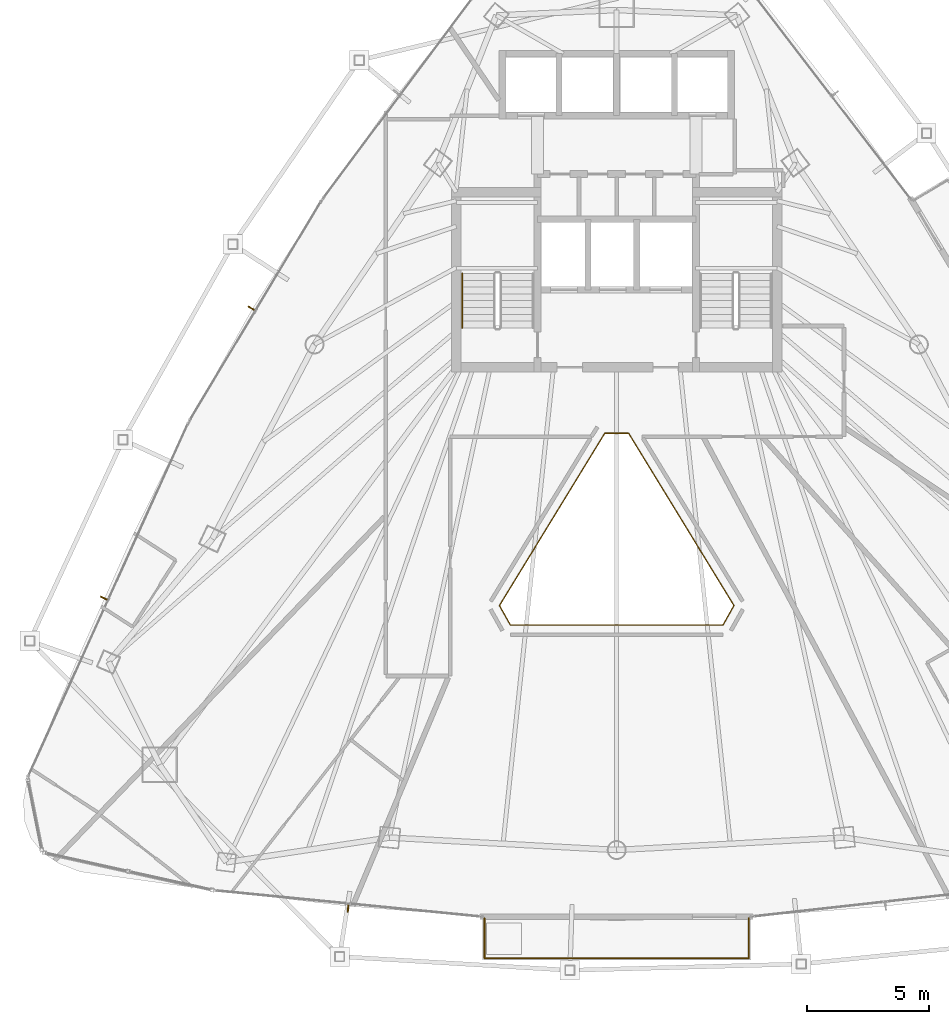
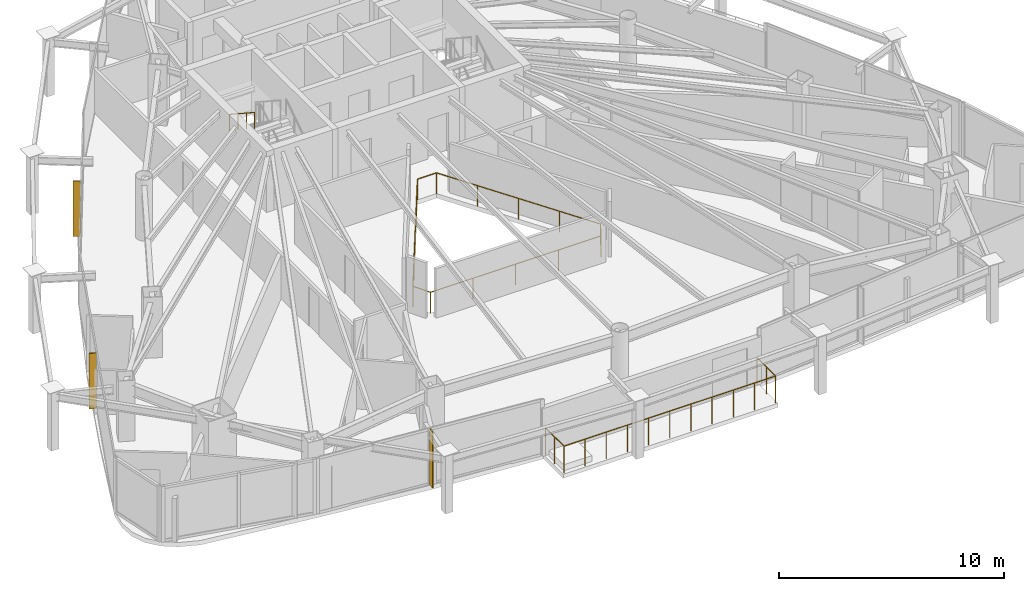
# One storey, part 29 of 31: 3 railings, 3 shading devices.
"""IFC4 building model written with IfcOpenShell, lengths in metres."""

import ifcopenshell
import ifcopenshell.guid

model = None  # the IFC model being written
_history = None  # IfcOwnerHistory: only IFC2X3 demands one
_inside = {}  # id of a spatial element -> (the spatial element, [elements in it])
_under = {}  # id of a project, library or spatial element -> (it, [spatial elements below it])
_declared = {}  # id of a project -> (the project, [libraries it declares])
_typed = {}  # id of a type object -> (the type object, [elements of that type])
_made_of = {}  # id of a material, layer set ... -> (it, [elements and type objects made of it])


def new_model(schema):
    """Start an empty IFC model of exactly this schema.

    Asked for "IFC4X3", IfcOpenShell would pick the latest addendum, in which some entities
    have other attributes; the version numbers below select the first issue.
    IFC2X3 requires an IfcOwnerHistory on every rooted entity: one is made here for all.
    """
    global model, _history
    if schema == "IFC4X3":
        model = ifcopenshell.file(schema_version=(4, 3, 0, 0))
    else:
        model = ifcopenshell.file(schema=schema)
    _inside.clear()
    _under.clear()
    _declared.clear()
    _typed.clear()
    _made_of.clear()
    _history = None
    if model.schema == "IFC2X3":
        org = make("IfcOrganization", Name="unknown")
        user = make(
            "IfcPersonAndOrganization",
            ThePerson=make("IfcPerson", FamilyName="unknown"),
            TheOrganization=org,
        )
        app = make(
            "IfcApplication",
            ApplicationDeveloper=org,
            Version="unknown",
            ApplicationFullName="unknown",
            ApplicationIdentifier="unknown",
        )
        _history = make(
            "IfcOwnerHistory",
            OwningUser=user,
            OwningApplication=app,
            ChangeAction="ADDED",
            CreationDate=0,
        )
    return model


def make(cls, **values):
    """One entity of the class cls with the attributes given. An attribute that is None is left unset."""
    return model.create_entity(
        cls, **{name: value for name, value in values.items() if value is not None}
    )


def rooted(cls, **values):
    """An entity with a GlobalId (a new one), such as an element, a storey or a relation."""
    return make(cls, GlobalId=ifcopenshell.guid.new(), OwnerHistory=_history, **values)


def si_unit(unit_type, name, prefix=None):
    """IfcSIUnit, for example si_unit("LENGTHUNIT", "METRE", prefix="MILLI")."""
    return make("IfcSIUnit", UnitType=unit_type, Prefix=prefix, Name=name)


def assignment(units):
    """IfcUnitAssignment: the units of a project."""
    return None if units is None else make("IfcUnitAssignment", Units=units)


def point(xyz):
    """IfcCartesianPoint."""
    return None if xyz is None else make("IfcCartesianPoint", Coordinates=xyz)


def direction(xyz):
    """IfcDirection."""
    return None if xyz is None else make("IfcDirection", DirectionRatios=xyz)


def frame(location, z_axis=None, x_axis=None):
    """IfcAxis2Placement3D, a coordinate frame: its origin and axes. An axis left out is left unset."""
    return make(
        "IfcAxis2Placement3D",
        Location=point(location),
        Axis=direction(z_axis),
        RefDirection=direction(x_axis),
    )


def frame_2d(location, x_axis=None):
    """IfcAxis2Placement2D, a coordinate frame in the plane: its origin and x axis."""
    return make(
        "IfcAxis2Placement2D", Location=point(location), RefDirection=direction(x_axis)
    )


def origin():
    """The frame at (0, 0, 0) with its axes left unset."""
    return frame((0.0, 0.0, 0.0))


def origin_2d():
    """The frame at (0, 0) in the plane with its x axis left unset."""
    return frame_2d((0.0, 0.0))


def place(relative_to, where):
    """IfcLocalPlacement: puts the frame where relative to a parent placement (None: the world)."""
    return make(
        "IfcLocalPlacement", PlacementRelTo=relative_to, RelativePlacement=where
    )


def context(
    kind, dimensions, precision=None, world=None, true_north=None, identifier=None
):
    """IfcGeometricRepresentationContext, for example the 3D "Model" context."""
    return make(
        "IfcGeometricRepresentationContext",
        ContextIdentifier=identifier,
        ContextType=kind,
        CoordinateSpaceDimension=dimensions,
        Precision=precision,
        WorldCoordinateSystem=world,
        TrueNorth=true_north,
    )


def subcontext(parent, identifier, kind, view, scale=None):
    """IfcGeometricRepresentationSubContext, for example "Body" below "Model"."""
    return make(
        "IfcGeometricRepresentationSubContext",
        ContextIdentifier=identifier,
        ContextType=kind,
        ParentContext=parent,
        TargetScale=scale,
        TargetView=view,
    )


def project(units=None, contexts=None):
    """IfcProject with its units and contexts."""
    return rooted(
        "IfcProject",
        Name="project",
        RepresentationContexts=contexts,
        UnitsInContext=assignment(units),
    )


def spatial(cls, under=None, at=None, **own):
    """A site, building, storey or space (cls), placed at a placement, below another one or the project."""
    s = rooted(cls, ObjectPlacement=at, **own)
    if under is not None:
        _under.setdefault(under.id(), (under, []))[1].append(s)
    return s


def profile(cls, at=None, kind="AREA", **sizes):
    """A parametric profile (cls). Its sizes go by their IFC names, for example OverallWidth=200.0."""
    return make(cls, ProfileType=kind, Position=at, **sizes)


def rectangle(**sizes):
    """IfcRectangleProfileDef."""
    return profile("IfcRectangleProfileDef", **sizes)


def circle(**sizes):
    """IfcCircleProfileDef."""
    return profile("IfcCircleProfileDef", **sizes)


def extrude(swept, where, along, depth):
    """IfcExtrudedAreaSolid: the profile swept, set in the frame where, extruded along a direction by depth."""
    return make(
        "IfcExtrudedAreaSolid",
        SweptArea=swept,
        Position=where,
        ExtrudedDirection=direction(along),
        Depth=depth,
    )


def shape(context_of_items, identifier, shape_type, items):
    """IfcShapeRepresentation: the items that make up one representation, for example the "Body"."""
    return make(
        "IfcShapeRepresentation",
        ContextOfItems=context_of_items,
        RepresentationIdentifier=identifier,
        RepresentationType=shape_type,
        Items=items,
    )


def material(Name=None, Category=None):
    """IfcMaterial."""
    return make("IfcMaterial", Name=Name, Category=Category)


def layer(
    of_material, thickness, ventilated=None, Name=None, Category=None, Priority=None
):
    """IfcMaterialLayer: one layer of a wall or slab, of a material (None: an air gap)."""
    return make(
        "IfcMaterialLayer",
        Material=of_material,
        LayerThickness=thickness,
        IsVentilated=ventilated,
        Name=Name,
        Category=Category,
        Priority=Priority,
    )


def layer_set(layers, Name=None):
    """IfcMaterialLayerSet."""
    return make("IfcMaterialLayerSet", MaterialLayers=layers, LayerSetName=Name)


def made_of(thing, what):
    """Note that an element or type object is made of a material, layer set ...; save() writes the relation."""
    if what is not None:
        _made_of.setdefault(what.id(), (what, []))[1].append(thing)
    return thing


def type_object(cls, material=None, **own):
    """A type object (cls), such as IfcWallType, which elements share."""
    return made_of(rooted(cls, **own), material)


def element(
    cls,
    number,
    at=None,
    inside=None,
    cuts=None,
    type_object=None,
    material=None,
    context=None,
    identifier="Body",
    shape_type=None,
    held_by="IfcProductDefinitionShape",
    body=None,
    shapes=None,
    **own,
):
    """One element of the class cls, such as IfcWall. Its Tag is "e" and its number.

    at: its placement. inside: the storey or other place that contains it. cuts: it is an
    opening in that element (IfcRelVoidsElement). A single representation is given by context,
    identifier, shape_type and body (its items); several are given by shapes. held_by: the class
    of the entity that holds the representations. save() writes the other relations.
    """
    e = rooted(cls, Tag="e%d" % number, ObjectPlacement=at, **own)
    if body is not None:
        shapes = [shape(context, identifier, shape_type, body)]
    if shapes is not None:
        e.Representation = make(held_by, Representations=shapes)
    if inside is not None:
        _inside.setdefault(inside.id(), (inside, []))[1].append(e)
    if cuts is not None:
        rooted(
            "IfcRelVoidsElement", RelatingBuildingElement=cuts, RelatedOpeningElement=e
        )
    if type_object is not None:
        _typed.setdefault(type_object.id(), (type_object, []))[1].append(e)
    return made_of(e, material)


def aggregate(whole, parts):
    """IfcRelAggregates: a whole, such as a stair, and the parts it consists of."""
    return rooted("IfcRelAggregates", RelatingObject=whole, RelatedObjects=parts)


def save(model, path):
    """Write the relations noted so far, then the file.

    IfcRelAggregates (storeys below a building ...), IfcRelContainedInSpatialStructure (elements
    in a storey), IfcRelDefinesByType, IfcRelAssociatesMaterial and IfcRelDeclares: one each for
    every whole, place, type object, material and project.
    """
    for whole, parts in _under.values():
        aggregate(whole, parts)
    for where, things in _inside.values():
        rooted(
            "IfcRelContainedInSpatialStructure",
            RelatedElements=things,
            RelatingStructure=where,
        )
    for kind, things in _typed.values():
        rooted("IfcRelDefinesByType", RelatedObjects=things, RelatingType=kind)
    for what, things in _made_of.values():
        rooted("IfcRelAssociatesMaterial", RelatedObjects=things, RelatingMaterial=what)
    for by, libraries in _declared.values():
        rooted("IfcRelDeclares", RelatingContext=by, RelatedDefinitions=libraries)
    model.write(path)


model = new_model("IFC4")

# Units and contexts
model_context = context("Model", 3, precision=1e-05, world=origin(), true_north=direction((0.0, 1.0)))
body_context = subcontext(model_context, "Body", "Model", "MODEL_VIEW")
ifc_project = project(units=[si_unit("LENGTHUNIT", "METRE"), si_unit("AREAUNIT", "SQUARE_METRE"), si_unit("VOLUMEUNIT", "CUBIC_METRE"), si_unit("PLANEANGLEUNIT", "RADIAN"), si_unit("MASSUNIT", "GRAM", prefix="KILO")], contexts=[model_context])

# Site, building, storey
site_placement = place(None, origin())
site = spatial("IfcSite", under=ifc_project, at=site_placement, CompositionType="ELEMENT")
building_placement = place(site_placement, origin())
building = spatial("IfcBuilding", under=site, at=building_placement, Name="Orvanel Arch Residences", CompositionType="ELEMENT")
storey_placement = place(building_placement, frame((0.0, 0.0, 183.64990234375)))
storey = spatial("IfcBuildingStorey", under=building, at=storey_placement, Name="L52", CompositionType="ELEMENT", Elevation=183.64990234375)

# Shading devices
ifc_material_1 = material(Name="Bronze-anodised aluminium AA6063-T6", Category="aluminium")
ifc_layer = layer(ifc_material_1, 0.054931640625)
ifc_layer_set = layer_set([ifc_layer], Name="Bronze-anodised aluminium AA6063-T6")
shading_device_type = type_object("IfcShadingDeviceType", Name="FIN-BRZ-320", PredefinedType="USERDEFINED", material=ifc_layer_set)
for number, where, z_axis, x_axis, name in (
    (1, (17.97900390625, 29.1240234375, 0.0), (0.0, 0.0, 1.0), (-0.857167300702, 0.51503807491, 0.0), "L52 Anodised Bronze Mullion FIN 01"),
    (2, (11.907958984375, 17.202880859375, 0.0), (0.0, 0.0, 1.0), (-0.910683660806, 0.413104429825, 0.0), "L52 Anodised Bronze Mullion FIN 01"),
    (3, (21.949951171875, 4.451904296875, 0.0), (0.0, 0.0, 1.0), (-0.097582899759, -0.995227399982, 0.0), "L52 Anodised Bronze Mullion FIN 01"),
):
    element("IfcShadingDevice", number, at=place(storey_placement, frame(where, z_axis=z_axis, x_axis=x_axis)), inside=storey, type_object=shading_device_type, Name=name, ObjectType="FIN", PredefinedType="USERDEFINED", context=body_context, shape_type="SweptSolid", body=[
        extrude(rectangle(XDim=0.320068359375, YDim=0.054931640625, at=origin_2d()), origin(), (0.0, 0.0, 1.0), 3.02001953125),
    ])

# Railings
railing_type_1 = type_object("IfcRailingType", Name="RL-ATR-1150", PredefinedType="BALUSTRADE", material=ifc_material_1)
railing_1_placement = place(storey_placement, frame((33.489013671875, 23.988037109375, 0.0)))
element("IfcRailing", 4, at=railing_1_placement, inside=storey, type_object=railing_type_1, Name="L52 Atrium Void Protective Balustrade", PredefinedType="BALUSTRADE", context=body_context, shape_type="SweptSolid", body=[
    extrude(circle(Radius=0.02392578125, at=origin_2d()), frame((-0.00146484375, 0.0, 1.1259765625), z_axis=(-1.0, 0.0, 0.0), x_axis=(0.0, -1.0, 0.0)), (0.0, 0.0, 1.0), 0.97509765625),
    extrude(circle(Radius=0.02392578125, at=origin_2d()), frame((-0.978759765625, -0.001220703125, 1.1259765625), z_axis=(-0.521622378978, -0.853176472806, 0.0), x_axis=(0.853176472806, -0.521622378978, 0.0)), (0.0, 0.0, 1.0), 8.3037109375),
    extrude(circle(Radius=0.02392578125, at=origin_2d()), frame((-5.310302734375, -7.08837890625, 1.1259765625), z_axis=(0.489502799973, -0.872001725238, 0.0), x_axis=(0.872001725238, 0.489502799973, 0.0)), (0.0, 0.0, 1.0), 0.914306640625),
    extrude(circle(Radius=0.02392578125, at=origin_2d()), frame((-4.860595703125, -7.886962890625, 1.1259765625), z_axis=(1.0, 0.0, 0.0), x_axis=(0.0, 1.0, 0.0)), (0.0, 0.0, 1.0), 8.7431640625),
    extrude(circle(Radius=0.02392578125, at=origin_2d()), frame((3.884765625, -7.8857421875, 1.1259765625), z_axis=(0.489502799973, 0.872001725238, 0.0), x_axis=(-0.872001725238, 0.489502799973, 0.0)), (0.0, 0.0, 1.0), 0.914306640625),
    extrude(circle(Radius=0.02392578125, at=origin_2d()), frame((4.332275390625, -7.0859375, 1.1259765625), z_axis=(-0.521622378978, 0.853176472806, 0.0), x_axis=(-0.853176472806, -0.521622378978, 0.0)), (0.0, 0.0, 1.0), 8.3037109375),
    extrude(circle(Radius=0.02099609375, at=origin_2d()), origin(), (0.0, 0.0, 1.0), 1.099853515625),
    extrude(circle(Radius=0.02099609375, at=origin_2d()), frame((-0.97802734375, 0.0, 0.0)), (0.0, 0.0, 1.0), 1.099853515625),
    extrude(circle(Radius=0.02099609375, at=origin_2d()), frame((-2.061279296875, -1.771728515625, 0.0)), (0.0, 0.0, 1.0), 1.099853515625),
    extrude(circle(Radius=0.02099609375, at=origin_2d()), frame((-3.14453125, -3.54345703125, 0.0)), (0.0, 0.0, 1.0), 1.099853515625),
    extrude(circle(Radius=0.02099609375, at=origin_2d()), frame((-4.227783203125, -5.3154296875, 0.0)), (0.0, 0.0, 1.0), 1.099853515625),
    extrude(circle(Radius=0.02099609375, at=origin_2d()), frame((-5.31103515625, -7.087158203125, 0.0)), (0.0, 0.0, 1.0), 1.099853515625),
    extrude(circle(Radius=0.02099609375, at=origin_2d()), frame((-4.862060546875, -7.886962890625, 0.0)), (0.0, 0.0, 1.0), 1.099853515625),
    extrude(circle(Radius=0.02099609375, at=origin_2d()), frame((-2.675537109375, -7.886962890625, 0.0)), (0.0, 0.0, 1.0), 1.099853515625),
    extrude(circle(Radius=0.02099609375, at=origin_2d()), frame((-0.489013671875, -7.886962890625, 0.0)), (0.0, 0.0, 1.0), 1.099853515625),
    extrude(circle(Radius=0.02099609375, at=origin_2d()), frame((1.697509765625, -7.886962890625, 0.0)), (0.0, 0.0, 1.0), 1.099853515625),
    extrude(circle(Radius=0.02099609375, at=origin_2d()), frame((3.884033203125, -7.886962890625, 0.0)), (0.0, 0.0, 1.0), 1.099853515625),
    extrude(circle(Radius=0.02099609375, at=origin_2d()), frame((4.3330078125, -7.087158203125, 0.0)), (0.0, 0.0, 1.0), 1.099853515625),
    extrude(circle(Radius=0.02099609375, at=origin_2d()), frame((3.249755859375, -5.3154296875, 0.0)), (0.0, 0.0, 1.0), 1.099853515625),
    extrude(circle(Radius=0.02099609375, at=origin_2d()), frame((2.16650390625, -3.54345703125, 0.0)), (0.0, 0.0, 1.0), 1.099853515625),
    extrude(circle(Radius=0.02099609375, at=origin_2d()), frame((1.083251953125, -1.771728515625, 0.0)), (0.0, 0.0, 1.0), 1.099853515625),
])
railing_type_2 = type_object("IfcRailingType", Name="RL-BAL-1480", PredefinedType="BALUSTRADE", material=ifc_material_1)
railing_2_placement = place(storey_placement, frame((27.56396484375, 4.037109375, 0.0)))
element("IfcRailing", 5, at=railing_2_placement, inside=storey, type_object=railing_type_2, Name="L52 Balcony Perimeter Guardrail Face 2", PredefinedType="BALUSTRADE", context=body_context, shape_type="SweptSolid", body=[
    extrude(circle(Radius=0.02392578125, at=origin_2d()), frame((0.0, -0.00146484375, 1.4560546875), z_axis=(0.0, -1.0, 0.0), x_axis=(1.0, 0.0, 0.0)), (0.0, 0.0, 1.0), 1.63720703125),
    extrude(circle(Radius=0.02392578125, at=origin_2d()), frame((0.00146484375, -1.64013671875, 1.4560546875), z_axis=(1.0, 0.0, 0.0), x_axis=(0.0, 1.0, 0.0)), (0.0, 0.0, 1.0), 10.869140625),
    extrude(circle(Radius=0.02392578125, at=origin_2d()), frame((10.8720703125, -1.638671875, 1.4560546875), z_axis=(0.0, 1.0, 0.0), x_axis=(-1.0, 0.0, 0.0)), (0.0, 0.0, 1.0), 1.63720703125),
    extrude(circle(Radius=0.02099609375, at=origin_2d()), origin(), (0.0, 0.0, 1.0), 1.429931640625),
    extrude(circle(Radius=0.02099609375, at=origin_2d()), frame((0.0, -0.820068359375, 0.0)), (0.0, 0.0, 1.0), 1.429931640625),
    extrude(circle(Radius=0.02099609375, at=origin_2d()), frame((0.0, -1.64013671875, 0.0)), (0.0, 0.0, 1.0), 1.429931640625),
    extrude(circle(Radius=0.02099609375, at=origin_2d()), frame((1.087158203125, -1.64013671875, 0.0)), (0.0, 0.0, 1.0), 1.429931640625),
    extrude(circle(Radius=0.02099609375, at=origin_2d()), frame((2.17431640625, -1.64013671875, 0.0)), (0.0, 0.0, 1.0), 1.429931640625),
    extrude(circle(Radius=0.02099609375, at=origin_2d()), frame((3.26171875, -1.64013671875, 0.0)), (0.0, 0.0, 1.0), 1.429931640625),
    extrude(circle(Radius=0.02099609375, at=origin_2d()), frame((4.348876953125, -1.64013671875, 0.0)), (0.0, 0.0, 1.0), 1.429931640625),
    extrude(circle(Radius=0.02099609375, at=origin_2d()), frame((5.43603515625, -1.64013671875, 0.0)), (0.0, 0.0, 1.0), 1.429931640625),
    extrude(circle(Radius=0.02099609375, at=origin_2d()), frame((6.523193359375, -1.64013671875, 0.0)), (0.0, 0.0, 1.0), 1.429931640625),
    extrude(circle(Radius=0.02099609375, at=origin_2d()), frame((7.6103515625, -1.64013671875, 0.0)), (0.0, 0.0, 1.0), 1.429931640625),
    extrude(circle(Radius=0.02099609375, at=origin_2d()), frame((8.69775390625, -1.64013671875, 0.0)), (0.0, 0.0, 1.0), 1.429931640625),
    extrude(circle(Radius=0.02099609375, at=origin_2d()), frame((9.784912109375, -1.64013671875, 0.0)), (0.0, 0.0, 1.0), 1.429931640625),
    extrude(circle(Radius=0.02099609375, at=origin_2d()), frame((10.8720703125, -1.64013671875, 0.0)), (0.0, 0.0, 1.0), 1.429931640625),
    extrude(circle(Radius=0.02099609375, at=origin_2d()), frame((10.8720703125, -0.820068359375, 0.0)), (0.0, 0.0, 1.0), 1.429931640625),
    extrude(circle(Radius=0.02099609375, at=origin_2d()), frame((10.8720703125, 0.0, 0.0)), (0.0, 0.0, 1.0), 1.429931640625),
])
ifc_material_2 = material(Name="Structural steel AS/NZS 1163 C350L0 (Grade 350)", Category="steel")
railing_type_3 = type_object("IfcRailingType", Name="RL-STAIR-HAND", PredefinedType="HANDRAIL", material=ifc_material_2)
railing_3_placement = place(storey_placement, frame((26.64990234375, 30.56005859375, 1.83349609375)))
element("IfcRailing", 6, at=railing_3_placement, inside=storey, type_object=railing_type_3, Name="L52 ST-1 stair handrail 2", PredefinedType="HANDRAIL", context=body_context, shape_type="SweptSolid", body=[
    extrude(circle(Radius=0.02392578125, at=origin_2d()), frame((0.0, -0.001220703125, 0.876708984375), z_axis=(0.0, -0.836636935527, 0.547757827979), x_axis=(1.0, 0.0, 0.0)), (0.0, 0.0, 1.0), 2.67431640625),
    extrude(circle(Radius=0.02099609375, at=origin_2d()), origin(), (0.0, 0.0, 1.0), 0.849853515625),
    extrude(circle(Radius=0.02099609375, at=origin_2d()), frame((0.0, -0.74658203125, 0.48876953125)), (0.0, 0.0, 1.0), 0.849853515625),
    extrude(circle(Radius=0.02099609375, at=origin_2d()), frame((0.0, -1.493408203125, 0.977783203125)), (0.0, 0.0, 1.0), 0.849853515625),
    extrude(circle(Radius=0.02099609375, at=origin_2d()), frame((0.0, -2.239990234375, 1.466552734375)), (0.0, 0.0, 1.0), 0.849853515625),
])

save(model, "model.ifc")
